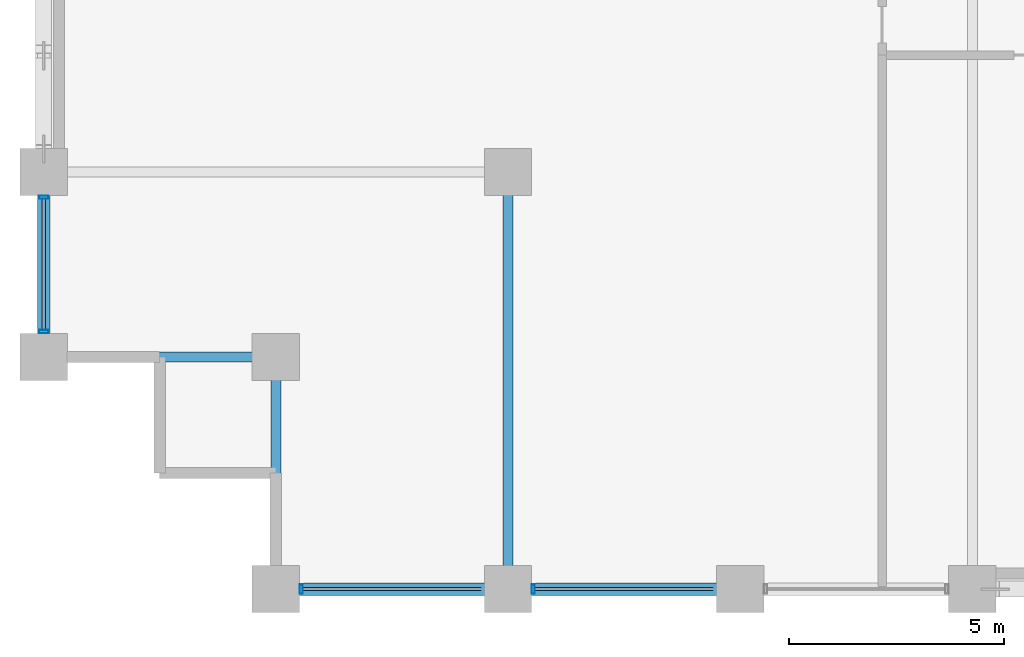
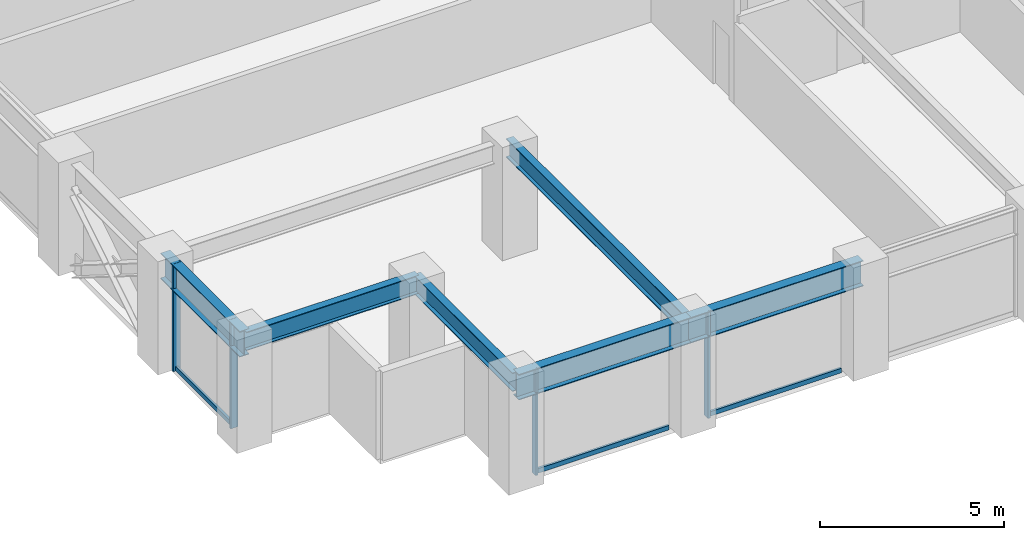
# One storey, part 2 of 25: 7 members, 6 beams, 2 elements without a shape of their own.
"""IFC4 building model written with IfcOpenShell, lengths in metres."""

from ifc_helpers import new_model, si_unit, direction, frame, origin, origin_2d, place, context, subcontext, project, spatial, hollow_rectangle, i_section, extrude, material, layer, layer_set, material_profile, profile_set, type_object, element, aggregate, save


model = new_model("IFC4")

# Units and contexts
model_context = context("Model", 3, precision=1e-05, world=origin(), true_north=direction((0.0, 1.0)))
body_context = subcontext(model_context, "Body", "Model", "MODEL_VIEW")
ifc_project = project(units=[si_unit("LENGTHUNIT", "METRE"), si_unit("AREAUNIT", "SQUARE_METRE"), si_unit("VOLUMEUNIT", "CUBIC_METRE"), si_unit("PLANEANGLEUNIT", "RADIAN"), si_unit("MASSUNIT", "GRAM", prefix="KILO")], contexts=[model_context])

# Site, building, storey
site_placement = place(None, origin())
site = spatial("IfcSite", under=ifc_project, at=site_placement, CompositionType="ELEMENT")
building_placement = place(site_placement, origin())
building = spatial("IfcBuilding", under=site, at=building_placement, Name="Surkhivell Harbour Commons", CompositionType="ELEMENT")
storey_placement = place(building_placement, frame((0.0, 0.0, 117.0)))
storey = spatial("IfcBuildingStorey", under=building, at=storey_placement, Name="L30", CompositionType="ELEMENT", Elevation=117.0)

# Beams
ifc_material_1 = material(Name="Steel S355", Category="steel")
ifc_material_profile_1 = material_profile(ifc_material_1, i_section(OverallWidth=0.22998046875, OverallDepth=0.616943359375, WebThickness=0.01318359375, FlangeThickness=0.022216796875, at=origin_2d()), Name="UB610x229x140")
ifc_profile_set_1 = profile_set([ifc_material_profile_1], Name="Steel S355")
beam_type_1 = type_object("IfcBeamType", Name="BM-GRD-610B", PredefinedType="BEAM", material=ifc_profile_set_1)
for number, where, z_axis, x_axis, name in (
    (1, (-32.39990234375, -20.5, 3.261474609375), (1.0, 0.0, 0.0), (0.0, 1.0, 0.0), "L30 Floor Girder (-32.4,-20.5)"),
    (2, (-27.0, -25.89990234375, 3.261474609375), (0.0, 1.0, 0.0), (-1.0, 0.0, 0.0), "L30 Floor Girder (-27.0,-25.9)"),
):
    element("IfcBeam", number, at=place(storey_placement, frame(where, z_axis=z_axis, x_axis=x_axis)), inside=storey, type_object=beam_type_1, Name=name, PredefinedType="BEAM", context=body_context, shape_type="SweptSolid", body=[
        extrude(i_section(OverallWidth=0.22998046875, OverallDepth=0.616943359375, WebThickness=0.01318359375, FlangeThickness=0.022216796875, at=origin_2d()), origin(), (0.0, 0.0, 1.0), 5.39990234375),
    ])
beam_1_placement = place(storey_placement, frame((-21.60009765625, -25.89990234375, 3.261474609375), z_axis=(0.0, 1.0, 0.0), x_axis=(-1.0, 0.0, 0.0)))
element("IfcBeam", 3, at=beam_1_placement, inside=storey, type_object=beam_type_1, Name="L30 Floor Girder (-21.6,-25.9)", PredefinedType="BEAM", context=body_context, shape_type="SweptSolid", body=[
    extrude(i_section(OverallWidth=0.22998046875, OverallDepth=0.616943359375, WebThickness=0.01318359375, FlangeThickness=0.022216796875, at=origin_2d()), origin(), (0.0, 0.0, 1.0), 9.699951171875),
])
ifc_material_2 = material(Name="Steel S460", Category="steel")
ifc_material_profile_2 = material_profile(ifc_material_2, i_section(OverallWidth=0.2939453125, OverallDepth=0.85107421875, WebThickness=0.01611328125, FlangeThickness=0.02685546875, at=origin_2d()), Name="UB838x292x226")
ifc_profile_set_2 = profile_set([ifc_material_profile_2], Name="Steel S460")
beam_type_2 = type_object("IfcBeamType", Name="BM-SPN-838", PredefinedType="SPANDREL", material=ifc_profile_set_2)
beam_2_placement = place(storey_placement, frame((-32.39990234375, -20.5, 3.14453125), z_axis=(0.0, 1.0, 0.0), x_axis=(-1.0, 0.0, 0.0)))
element("IfcBeam", 4, at=beam_2_placement, inside=storey, type_object=beam_type_2, Name="L30 Tube Spandrel (-32.4,-20.5)", PredefinedType="SPANDREL", context=body_context, shape_type="SweptSolid", body=[
    extrude(i_section(OverallWidth=0.2939453125, OverallDepth=0.85107421875, WebThickness=0.01611328125, FlangeThickness=0.02685546875, at=origin_2d()), origin(), (0.0, 0.0, 1.0), 4.300048828125),
])
beam_3_placement = place(storey_placement, frame((-27.0, -25.89990234375, 3.14453125), z_axis=(1.0, 0.0, 0.0), x_axis=(0.0, 1.0, 0.0)))
element("IfcBeam", 5, at=beam_3_placement, inside=storey, type_object=beam_type_2, Name="L30 Tube Spandrel (-27.0,-25.9)", PredefinedType="SPANDREL", context=body_context, shape_type="SweptSolid", body=[
    extrude(i_section(OverallWidth=0.2939453125, OverallDepth=0.85107421875, WebThickness=0.01611328125, FlangeThickness=0.02685546875, at=origin_2d()), origin(), (0.0, 0.0, 1.0), 5.39990234375),
])
beam_4_placement = place(storey_placement, frame((-21.60009765625, -25.89990234375, 3.14453125), z_axis=(1.0, 0.0, 0.0), x_axis=(0.0, 1.0, 0.0)))
element("IfcBeam", 6, at=beam_4_placement, inside=storey, type_object=beam_type_2, Name="L30 Tube Spandrel (-21.6,-25.9)", PredefinedType="SPANDREL", context=body_context, shape_type="SweptSolid", body=[
    extrude(i_section(OverallWidth=0.2939453125, OverallDepth=0.85107421875, WebThickness=0.01611328125, FlangeThickness=0.02685546875, at=origin_2d()), origin(), (0.0, 0.0, 1.0), 5.400146484375),
])

# Curtain wall, members
ifc_material_3 = material(Name="Anodised pale-metal aluminium and insulated glazing", Category="aluminium")
ifc_layer = layer(ifc_material_3, 0.205078125)
ifc_layer_set = layer_set([ifc_layer], Name="Anodised pale-metal aluminium and insulated glazing")
curtain_wall_type = type_object("IfcCurtainWallType", Name="CW-SYS-Z2", PredefinedType="NOTDEFINED", material=ifc_layer_set)
curtain_wall_1_placement = place(storey_placement, origin())
curtain_wall_1 = element("IfcCurtainWall", 7, at=curtain_wall_1_placement, inside=storey, type_object=curtain_wall_type, Name="L30 Curtain Wall CW-L30-E00S1", PredefinedType="NOTDEFINED")
ifc_material_4 = material(Name="Anodised pale-metal aluminium alloy 6063-T6", Category="aluminium")
ifc_material_profile_3 = material_profile(ifc_material_4, hollow_rectangle(XDim=0.074951171875, YDim=0.219970703125, WallThickness=0.00390625, at=origin_2d()), Name="ALU-MULL-75x220")
ifc_profile_set_3 = profile_set([ifc_material_profile_3], Name="Anodised pale-metal aluminium alloy 6063-T6")
member_type_1 = type_object("IfcMemberType", Name="CWM-220", PredefinedType="MULLION", material=ifc_profile_set_3)
member_1_placement = place(storey_placement, frame((-26.410400390625, -25.89990234375, 0.0), z_axis=(0.0, 0.0, 1.0), x_axis=(1.0, 0.0, 0.0)))
member_1 = element("IfcMember", 8, at=member_1_placement, type_object=member_type_1, Name="CW-Z2 mullion 1", PredefinedType="MULLION", context=body_context, shape_type="SweptSolid", body=[
    extrude(hollow_rectangle(XDim=0.074951171875, YDim=0.219970703125, WallThickness=0.00390625, at=origin_2d()), origin(), (0.0, 0.0, 1.0), 3.570068359375),
])
member_2_placement = place(storey_placement, frame((-21.010498046875, -25.89990234375, 0.0), z_axis=(0.0, 0.0, 1.0), x_axis=(1.0, 0.0, 0.0)))
member_2 = element("IfcMember", 9, at=member_2_placement, type_object=member_type_1, Name="CW-Z2 mullion 2", PredefinedType="MULLION", context=body_context, shape_type="SweptSolid", body=[
    extrude(hollow_rectangle(XDim=0.074951171875, YDim=0.219970703125, WallThickness=0.00390625, at=origin_2d()), origin(), (0.0, 0.0, 1.0), 3.570068359375),
])

curtain_wall_2_placement = place(storey_placement, origin())
curtain_wall_2 = element("IfcCurtainWall", 10, at=curtain_wall_2_placement, inside=storey, type_object=curtain_wall_type, Name="L30 Curtain Wall CW-L30-E12S2", PredefinedType="NOTDEFINED")
member_3_placement = place(storey_placement, frame((-32.39990234375, -16.78955078125, 0.0), z_axis=(0.0, 0.0, 1.0), x_axis=(0.0, -1.0, 0.0)))
member_3 = element("IfcMember", 11, at=member_3_placement, type_object=member_type_1, Name="CW-Z2 mullion 1", PredefinedType="MULLION", context=body_context, shape_type="SweptSolid", body=[
    extrude(hollow_rectangle(XDim=0.074951171875, YDim=0.219970703125, WallThickness=0.00390625, at=origin_2d()), origin(), (0.0, 0.0, 1.0), 3.570068359375),
])
member_4_placement = place(storey_placement, frame((-32.39990234375, -19.910400390625, 0.0), z_axis=(0.0, 0.0, 1.0), x_axis=(0.0, -1.0, 0.0)))
member_4 = element("IfcMember", 12, at=member_4_placement, type_object=member_type_1, Name="CW-Z2 mullion 2", PredefinedType="MULLION", context=body_context, shape_type="SweptSolid", body=[
    extrude(hollow_rectangle(XDim=0.074951171875, YDim=0.219970703125, WallThickness=0.00390625, at=origin_2d()), origin(), (0.0, 0.0, 1.0), 3.570068359375),
])

# Member
ifc_material_profile_4 = material_profile(ifc_material_4, hollow_rectangle(XDim=0.074951171875, YDim=0.14990234375, WallThickness=0.00341796875, at=origin_2d()), Name="ALU-TRAN-75x150")
ifc_profile_set_4 = profile_set([ifc_material_profile_4], Name="Anodised pale-metal aluminium alloy 6063-T6")
member_type_2 = type_object("IfcMemberType", Name="CWT-150", PredefinedType="USERDEFINED", material=ifc_profile_set_4)
member_5_placement = place(storey_placement, frame((-26.373046875, -25.89990234375, 0.074951171875), z_axis=(1.0, 0.0, 0.0), x_axis=(0.0, 1.0, 0.0)))
member_5 = element("IfcMember", 13, at=member_5_placement, type_object=member_type_2, Name="CW-Z2 transom 1.1", ObjectType="TRANSOM", PredefinedType="USERDEFINED", context=body_context, shape_type="SweptSolid", body=[
    extrude(hollow_rectangle(XDim=0.074951171875, YDim=0.14990234375, WallThickness=0.00341796875, at=origin_2d()), origin(), (0.0, 0.0, 1.0), 4.14599609375),
])

member_6_placement = place(storey_placement, frame((-20.972900390625, -25.89990234375, 0.074951171875), z_axis=(1.0, 0.0, 0.0), x_axis=(0.0, 1.0, 0.0)))
member_6 = element("IfcMember", 14, at=member_6_placement, type_object=member_type_2, Name="CW-Z2 transom 2.1", ObjectType="TRANSOM", PredefinedType="USERDEFINED", context=body_context, shape_type="SweptSolid", body=[
    extrude(hollow_rectangle(XDim=0.074951171875, YDim=0.14990234375, WallThickness=0.00341796875, at=origin_2d()), origin(), (0.0, 0.0, 1.0), 4.14599609375),
])

aggregate(curtain_wall_1, [member_1, member_5, member_2, member_6])

member_7_placement = place(storey_placement, frame((-32.39990234375, -16.826904296875, 0.074951171875), z_axis=(0.0, -1.0, 0.0), x_axis=(1.0, 0.0, 0.0)))
member_7 = element("IfcMember", 15, at=member_7_placement, type_object=member_type_2, Name="CW-Z2 transom 1.1", ObjectType="TRANSOM", PredefinedType="USERDEFINED", context=body_context, shape_type="SweptSolid", body=[
    extrude(hollow_rectangle(XDim=0.074951171875, YDim=0.14990234375, WallThickness=0.00341796875, at=origin_2d()), origin(), (0.0, 0.0, 1.0), 3.046142578125),
])

aggregate(curtain_wall_2, [member_3, member_4, member_7])

save(model, "model.ifc")
